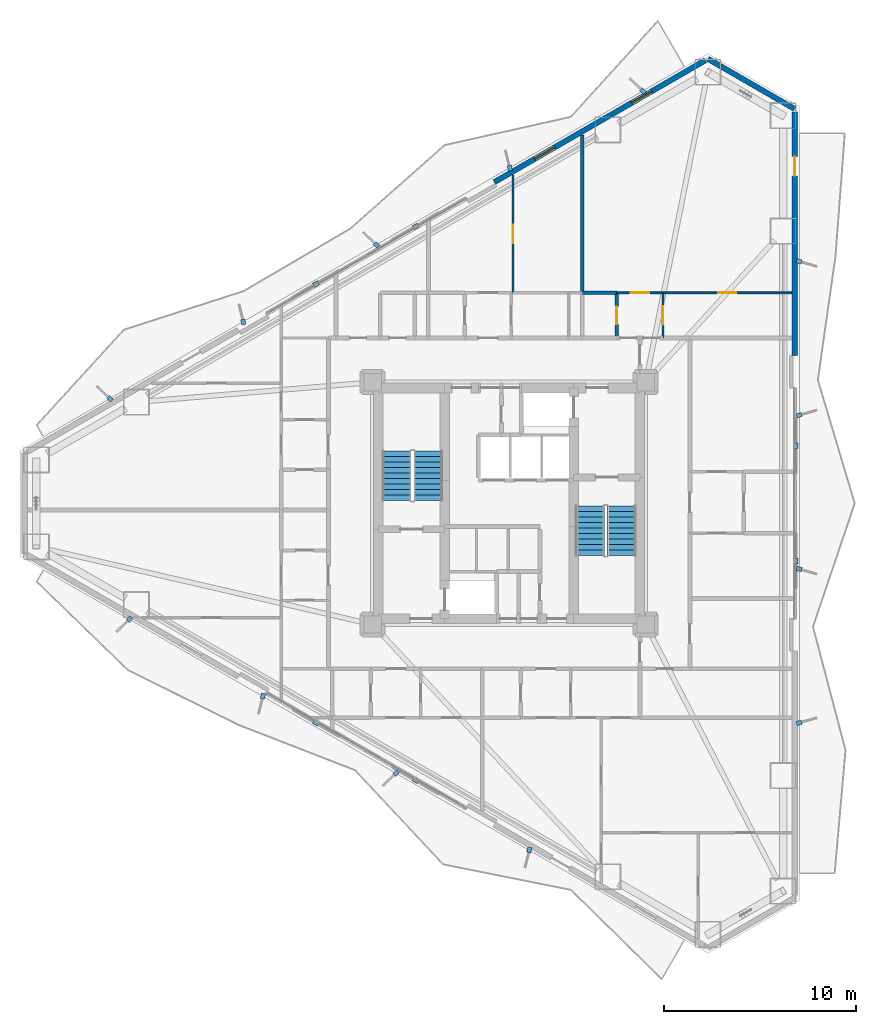
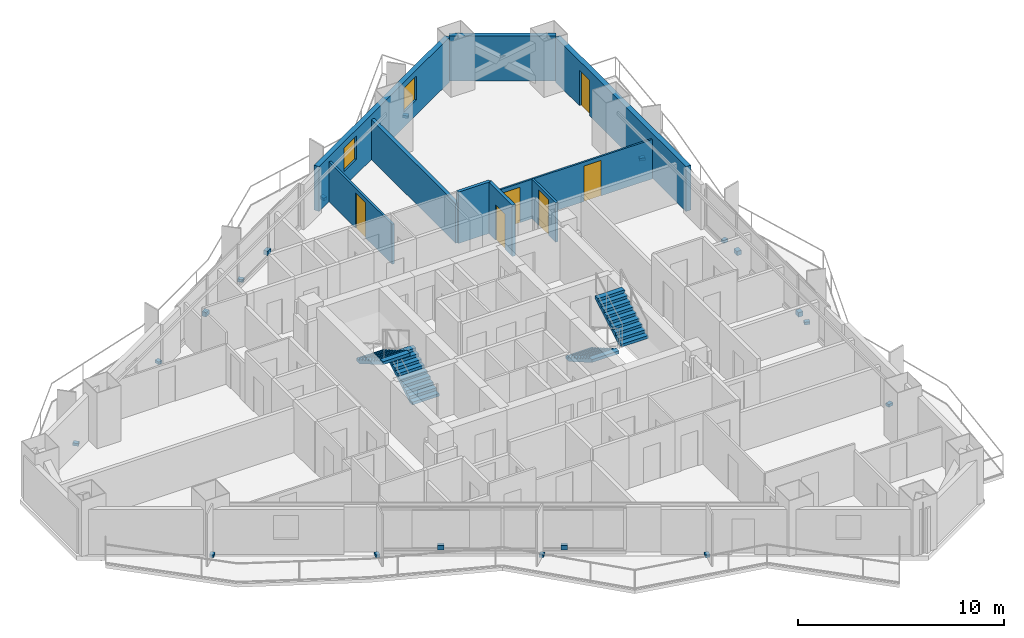
# One storey, part 16 of 18: 19 discrete accessories, 10 walls, 6 doors, 4 stair flights, 2 windows, 8 openings, 2 elements without a shape of their own.
"""IFC4 building model written with IfcOpenShell, lengths in metres."""

from ifc_helpers import new_model, si_unit, direction, frame, frame_2d, origin, origin_2d, place, context, subcontext, project, spatial, polyline, rectangle, outline, extrude, material, layer, layer_set, type_object, element, fill, aggregate, save


model = new_model("IFC4")

# Units and contexts
model_context = context("Model", 3, precision=1e-05, world=origin(), true_north=direction((0.0, 1.0)))
body_context = subcontext(model_context, "Body", "Model", "MODEL_VIEW")
ifc_project = project(units=[si_unit("LENGTHUNIT", "METRE"), si_unit("AREAUNIT", "SQUARE_METRE"), si_unit("VOLUMEUNIT", "CUBIC_METRE"), si_unit("PLANEANGLEUNIT", "RADIAN"), si_unit("MASSUNIT", "GRAM", prefix="KILO")], contexts=[model_context])

# Site, building, storey
site_placement = place(None, origin())
site = spatial("IfcSite", under=ifc_project, at=site_placement, CompositionType="ELEMENT")
building_placement = place(site_placement, origin())
building = spatial("IfcBuilding", under=site, at=building_placement, Name="Mersakhor Tower and Convention Hall", CompositionType="ELEMENT")
storey_placement = place(building_placement, frame((0.0, 0.0, 52.199951171875)))
storey = spatial("IfcBuildingStorey", under=building, at=storey_placement, Name="L14", CompositionType="ELEMENT", Elevation=52.199951171875)

# Wall
ifc_material_1 = material(Name="Precast concrete C45/55", Category="concrete")
ifc_layer_1 = layer(ifc_material_1, 0.27490234375)
ifc_layer_set_1 = layer_set([ifc_layer_1], Name="Precast concrete C45/55")
wall_type_1 = type_object("IfcWallType", Name="WL-EXT-275", PredefinedType="SOLIDWALL", material=ifc_layer_set_1)
wall_1_placement = place(storey_placement, frame((39.3369140625, 49.865234375, 0.0), z_axis=(0.0, 0.0, 1.0), x_axis=(0.866043601342, -0.499968479581, 0.0)))
element("IfcWall", 1, at=wall_1_placement, inside=storey, type_object=wall_type_1, Name="L14 Chamfer Braced Spandrel Wall C1", PredefinedType="SOLIDWALL", context=body_context, shape_type="SweptSolid", body=[
    extrude(rectangle(XDim=5.211181640625, YDim=0.27490234375, at=frame_2d((2.60546875, 0.0))), origin(), (0.0, 0.0, 1.0), 2.66015625),
])

# Wall, openings, windows
wall_2_placement = place(storey_placement, frame((28.231689453125, 43.453857421875, 0.0), z_axis=(0.0, 0.0, 1.0), x_axis=(0.86603192154, 0.499988710747, 0.0)))
wall_2 = element("IfcWall", 2, at=wall_2_placement, inside=storey, type_object=wall_type_1, Name="L14 Exterior Facade Wall F1-B3", PredefinedType="SOLIDWALL", context=body_context, shape_type="SweptSolid", body=[
    extrude(rectangle(XDim=12.673095703125, YDim=0.27490234375, at=frame_2d((6.33642578125, 0.0))), origin(), (0.0, 0.0, 1.0), 2.66015625),
])
opening_1_placement = place(wall_2_placement, frame((2.4169921875, 0.0, 0.89990234375)))
opening_1 = element("IfcOpeningElement", 3, at=opening_1_placement, cuts=wall_2, Name="Opening W-01", PredefinedType="OPENING", context=body_context, shape_type="SweptSolid", body=[
    extrude(rectangle(XDim=1.199951171875, YDim=1.39990234375, at=frame_2d((0.60009765625, 0.699951171875))), frame((0.0, 0.1474609375, 0.0), z_axis=(0.0, -1.0, 0.0), x_axis=(1.0, 0.0, 0.0)), (0.0, 0.0, 1.0), 0.294921875),
])
opening_2_placement = place(wall_2_placement, frame((8.2509765625, 0.0, 0.89990234375)))
opening_2 = element("IfcOpeningElement", 4, at=opening_2_placement, cuts=wall_2, Name="Opening W-01", PredefinedType="OPENING", context=body_context, shape_type="SweptSolid", body=[
    extrude(rectangle(XDim=1.199951171875, YDim=1.39990234375, at=frame_2d((0.60009765625, 0.699951171875))), frame((0.0, 0.1474609375, 0.0), z_axis=(0.0, -1.0, 0.0), x_axis=(1.0, 0.0, 0.0)), (0.0, 0.0, 1.0), 0.294921875),
])
ifc_material_2 = material(Name="Dark solar low-E glazed aluminium window", Category="aluminium")
window_type = type_object("IfcWindowType", Name="WN-RES-120x150", PartitioningType="SINGLE_PANEL", PredefinedType="WINDOW", material=ifc_material_2)
window_1_placement = place(opening_1_placement, origin())
window_1 = element("IfcWindow", 5, at=window_1_placement, inside=storey, type_object=window_type, Name="L14 Bedroom Facade Window F1-B3-1", OverallHeight=1.39990234375, OverallWidth=1.199951171875, PartitioningType="SINGLE_PANEL", PredefinedType="WINDOW", context=body_context, shape_type="SweptSolid", body=[
    extrude(rectangle(XDim=1.199951171875, YDim=1.39990234375, at=frame_2d((0.60009765625, 0.699951171875))), frame((0.0, 0.030029296875, 0.0), z_axis=(0.0, -1.0, 0.0), x_axis=(1.0, 0.0, 0.0)), (0.0, 0.0, 1.0), 0.06005859375),
])
fill(opening_1, window_1)
window_2_placement = place(opening_2_placement, origin())
window_2 = element("IfcWindow", 6, at=window_2_placement, inside=storey, type_object=window_type, Name="L14 Bedroom Facade Window F1-B3-2", OverallHeight=1.39990234375, OverallWidth=1.199951171875, PartitioningType="SINGLE_PANEL", PredefinedType="WINDOW", context=body_context, shape_type="SweptSolid", body=[
    extrude(rectangle(XDim=1.199951171875, YDim=1.39990234375, at=frame_2d((0.60009765625, 0.699951171875))), frame((0.0, 0.030029296875, 0.0), z_axis=(0.0, -1.0, 0.0), x_axis=(1.0, 0.0, 0.0)), (0.0, 0.0, 1.0), 0.06005859375),
])
fill(opening_2, window_2)

# Wall, opening, door
wall_3_placement = place(storey_placement, frame((43.85009765625, 47.109619140625, 0.0), z_axis=(0.0, 0.0, 1.0), x_axis=(0.0, -1.0, 0.0)))
wall_3 = element("IfcWall", 7, at=wall_3_placement, inside=storey, type_object=wall_type_1, Name="L14 Exterior Facade Wall F2-B1", PredefinedType="SOLIDWALL", context=body_context, shape_type="SweptSolid", body=[
    extrude(rectangle(XDim=12.673095703125, YDim=0.27490234375, at=frame_2d((6.33642578125, 0.0))), origin(), (0.0, 0.0, 1.0), 2.66015625),
])
opening_3_placement = place(wall_3_placement, frame((2.324951171875, 0.0, 0.0)))
opening_3 = element("IfcOpeningElement", 8, at=opening_3_placement, cuts=wall_3, Name="Opening BD-01", PredefinedType="OPENING", context=body_context, shape_type="SweptSolid", body=[
    extrude(rectangle(XDim=1.0, YDim=2.10009765625, at=frame_2d((0.5, 1.050048828125))), frame((0.0, 0.1474609375, 0.0), z_axis=(0.0, -1.0, 0.0), x_axis=(1.0, 0.0, 0.0)), (0.0, 0.0, 1.0), 0.294921875),
])
ifc_material_3 = material(Name="Thermally broken dark aluminium and safety glass", Category="aluminium")
door_type_1 = type_object("IfcDoorType", Name="DR-BAL-100x210", OperationType="NOTDEFINED", PredefinedType="DOOR", material=ifc_material_3)
door_1_placement = place(opening_3_placement, origin())
door_1 = element("IfcDoor", 9, at=door_1_placement, inside=storey, type_object=door_type_1, Name="L14 Balcony Terrace Door F2-B1", OperationType="SINGLE_SWING_LEFT", OverallHeight=2.10009765625, OverallWidth=1.0, PredefinedType="DOOR", context=body_context, shape_type="SweptSolid", body=[
    extrude(rectangle(XDim=1.0, YDim=2.10009765625, at=frame_2d((0.5, 1.050048828125))), frame((0.0, 0.02490234375, 0.0), z_axis=(0.0, -1.0, 0.0), x_axis=(1.0, 0.0, 0.0)), (0.0, 0.0, 1.0), 0.050048828125),
])
fill(opening_3, door_1)

ifc_material_4 = material(Name="Moisture-resistant acoustic drywall studwork", Category="other")
ifc_layer_2 = layer(ifc_material_4, 0.175048828125)
ifc_layer_set_2 = layer_set([ifc_layer_2], Name="Moisture-resistant acoustic drywall studwork")
wall_type_2 = type_object("IfcWallType", Name="WL-PLM-175", PredefinedType="PLUMBINGWALL", material=ifc_layer_set_2)
wall_4_placement = place(storey_placement, frame((34.60009765625, 35.35009765625, 0.0), z_axis=(0.0, 0.0, 1.0), x_axis=(0.0, 1.0, 0.0)))
wall_4 = element("IfcWall", 10, at=wall_4_placement, inside=storey, type_object=wall_type_2, Name="L14 Interior Partition Wall P-076", PredefinedType="PLUMBINGWALL", context=body_context, shape_type="SweptSolid", body=[
    extrude(rectangle(XDim=2.349853515625, YDim=0.175048828125, at=frame_2d((1.1748046875, 0.0))), origin(), (0.0, 0.0, 1.0), 3.0400390625),
])
opening_4_placement = place(wall_4_placement, frame((0.72509765625, 0.0, 0.0)))
opening_4 = element("IfcOpeningElement", 11, at=opening_4_placement, cuts=wall_4, Name="Opening WD-01", PredefinedType="OPENING", context=body_context, shape_type="SweptSolid", body=[
    extrude(rectangle(XDim=0.89990234375, YDim=2.10009765625, at=frame_2d((0.449951171875, 1.050048828125))), frame((0.0, 0.097412109375, 0.0), z_axis=(0.0, -1.0, 0.0), x_axis=(1.0, 0.0, 0.0)), (0.0, 0.0, 1.0), 0.195068359375),
])
ifc_material_5 = material(Name="Solid-core hardwood leaf in painted steel frame", Category="steel")
door_type_2 = type_object("IfcDoorType", Name="DR-INT-WET-090x210", OperationType="NOTDEFINED", PredefinedType="DOOR", material=ifc_material_5)
door_2_placement = place(opening_4_placement, origin())
door_2 = element("IfcDoor", 12, at=door_2_placement, inside=storey, type_object=door_type_2, Name="L14 L14 Flat N3 Apartment Hall to L14 Flat N3 Bathroom Door", OperationType="SINGLE_SWING_LEFT", OverallHeight=2.10009765625, OverallWidth=0.89990234375, PredefinedType="DOOR", context=body_context, shape_type="SweptSolid", body=[
    extrude(rectangle(XDim=0.89990234375, YDim=2.10009765625, at=frame_2d((0.449951171875, 1.050048828125))), frame((0.0, 0.02490234375, 0.0), z_axis=(0.0, -1.0, 0.0), x_axis=(1.0, 0.0, 0.0)), (0.0, 0.0, 1.0), 0.050048828125),
])
fill(opening_4, door_2)

# Wall
wall_5_placement = place(storey_placement, frame((32.800048828125, 37.699951171875, 0.0), z_axis=(0.0, 0.0, 1.0), x_axis=(1.0, 0.0, 0.0)))
element("IfcWall", 13, at=wall_5_placement, inside=storey, type_object=wall_type_2, Name="L14 Interior Partition Wall P-099", PredefinedType="PLUMBINGWALL", context=body_context, shape_type="SweptSolid", body=[
    extrude(rectangle(XDim=1.800048828125, YDim=0.175048828125, at=frame_2d((0.89990234375, 0.0))), origin(), (0.0, 0.0, 1.0), 3.0400390625),
])

# Wall, opening, door
ifc_material_6 = material(Name="Lightweight gypsum partition", Category="other")
ifc_layer_3 = layer(ifc_material_6, 0.10009765625)
ifc_layer_set_3 = layer_set([ifc_layer_3], Name="Lightweight gypsum partition")
wall_type_3 = type_object("IfcWallType", Name="WL-PRT-100", PredefinedType="PARTITIONING", material=ifc_layer_set_3)
wall_6_placement = place(storey_placement, frame((34.60009765625, 37.699951171875, 0.0), z_axis=(0.0, 0.0, 1.0), x_axis=(1.0, 0.0, 0.0)))
wall_6 = element("IfcWall", 14, at=wall_6_placement, inside=storey, type_object=wall_type_3, Name="L14 Interior Partition Wall P-074", PredefinedType="PARTITIONING", context=body_context, shape_type="SweptSolid", body=[
    extrude(rectangle(XDim=2.39990234375, YDim=0.10009765625, at=frame_2d((1.199951171875, 0.0))), origin(), (0.0, 0.0, 1.0), 2.337646484375),
])
opening_5_placement = place(wall_6_placement, frame((0.72509765625, 0.0, 0.0)))
opening_5 = element("IfcOpeningElement", 15, at=opening_5_placement, cuts=wall_6, Name="Opening RD-01", PredefinedType="OPENING", context=body_context, shape_type="SweptSolid", body=[
    extrude(rectangle(XDim=0.949951171875, YDim=2.10009765625, at=frame_2d((0.47509765625, 1.050048828125))), frame((0.0, 0.06005859375, 0.0), z_axis=(0.0, -1.0, 0.0), x_axis=(1.0, 0.0, 0.0)), (0.0, 0.0, 1.0), 0.1201171875),
])
ifc_material_7 = material(Name="Solid-core hardwood leaf in painted steel frame", Category="steel")
door_type_3 = type_object("IfcDoorType", Name="DR-INT-RM-095x210", OperationType="NOTDEFINED", PredefinedType="DOOR", material=ifc_material_7)
door_3_placement = place(opening_5_placement, origin())
door_3 = element("IfcDoor", 16, at=door_3_placement, inside=storey, type_object=door_type_3, Name="L14 L14 Flat N3 Apartment Hall to L14 Flat N3 Studio Living and Sleeping Room Door", OperationType="SINGLE_SWING_LEFT", OverallHeight=2.10009765625, OverallWidth=0.949951171875, PredefinedType="DOOR", context=body_context, shape_type="SweptSolid", body=[
    extrude(rectangle(XDim=0.949951171875, YDim=2.10009765625, at=frame_2d((0.47509765625, 1.050048828125))), frame((0.0, 0.02490234375, 0.0), z_axis=(0.0, -1.0, 0.0), x_axis=(1.0, 0.0, 0.0)), (0.0, 0.0, 1.0), 0.050048828125),
])
fill(opening_5, door_3)

wall_7_placement = place(storey_placement, frame((37.0, 37.699951171875, 0.0), z_axis=(0.0, 0.0, 1.0), x_axis=(1.0, 0.0, 0.0)))
wall_7 = element("IfcWall", 17, at=wall_7_placement, inside=storey, type_object=wall_type_3, Name="L14 Interior Partition Wall P-102", PredefinedType="PARTITIONING", context=body_context, shape_type="SweptSolid", body=[
    extrude(rectangle(XDim=6.6884765625, YDim=0.10009765625, at=frame_2d((3.34423828125, 0.0))), origin(), (0.0, 0.0, 1.0), 2.337646484375),
])
opening_6_placement = place(wall_7_placement, frame((2.869140625, 0.0, 0.0)))
opening_6 = element("IfcOpeningElement", 18, at=opening_6_placement, cuts=wall_7, Name="Opening RD-01", PredefinedType="OPENING", context=body_context, shape_type="SweptSolid", body=[
    extrude(rectangle(XDim=0.949951171875, YDim=2.10009765625, at=frame_2d((0.47509765625, 1.050048828125))), frame((0.0, 0.06005859375, 0.0), z_axis=(0.0, -1.0, 0.0), x_axis=(1.0, 0.0, 0.0)), (0.0, 0.0, 1.0), 0.1201171875),
])
door_4_placement = place(opening_6_placement, origin())
door_4 = element("IfcDoor", 19, at=door_4_placement, inside=storey, type_object=door_type_3, Name="L14 L14 Flat N3 Kitchen to L14 Flat N3 Studio Living and Sleeping Room Door", OperationType="SINGLE_SWING_LEFT", OverallHeight=2.10009765625, OverallWidth=0.949951171875, PredefinedType="DOOR", context=body_context, shape_type="SweptSolid", body=[
    extrude(rectangle(XDim=0.949951171875, YDim=2.10009765625, at=frame_2d((0.47509765625, 1.050048828125))), frame((0.0, 0.02490234375, 0.0), z_axis=(0.0, -1.0, 0.0), x_axis=(1.0, 0.0, 0.0)), (0.0, 0.0, 1.0), 0.050048828125),
])
fill(opening_6, door_4)

ifc_material_8 = material(Name="Gypsum board acoustic partition", Category="other")
ifc_layer_4 = layer(ifc_material_8, 0.125)
ifc_layer_set_4 = layer_set([ifc_layer_4], Name="Gypsum board acoustic partition")
wall_type_4 = type_object("IfcWallType", Name="WL-PRT-125", PredefinedType="PARTITIONING", material=ifc_layer_set_4)
wall_8_placement = place(storey_placement, frame((37.0, 37.699951171875, 0.0), z_axis=(0.0, 0.0, 1.0), x_axis=(0.0, -1.0, 0.0)))
wall_8 = element("IfcWall", 20, at=wall_8_placement, inside=storey, type_object=wall_type_4, Name="L14 Interior Partition Wall P-075", PredefinedType="PARTITIONING", context=body_context, shape_type="SweptSolid", body=[
    extrude(rectangle(XDim=2.349853515625, YDim=0.125, at=frame_2d((1.1748046875, 0.0))), origin(), (0.0, 0.0, 1.0), 2.337646484375),
])
opening_7_placement = place(wall_8_placement, frame((0.699951171875, 0.0, 0.0)))
opening_7 = element("IfcOpeningElement", 21, at=opening_7_placement, cuts=wall_8, Name="Opening RD-01", PredefinedType="OPENING", context=body_context, shape_type="SweptSolid", body=[
    extrude(rectangle(XDim=0.949951171875, YDim=2.10009765625, at=frame_2d((0.47509765625, 1.050048828125))), frame((0.0, 0.072509765625, 0.0), z_axis=(0.0, -1.0, 0.0), x_axis=(1.0, 0.0, 0.0)), (0.0, 0.0, 1.0), 0.14501953125),
])
door_5_placement = place(opening_7_placement, origin())
door_5 = element("IfcDoor", 22, at=door_5_placement, inside=storey, type_object=door_type_3, Name="L14 L14 Flat N3 Apartment Hall to L14 Flat N3 Kitchen Door", OperationType="SINGLE_SWING_RIGHT", OverallHeight=2.10009765625, OverallWidth=0.949951171875, PredefinedType="DOOR", context=body_context, shape_type="SweptSolid", body=[
    extrude(rectangle(XDim=0.949951171875, YDim=2.10009765625, at=frame_2d((0.47509765625, 1.050048828125))), frame((0.0, 0.02490234375, 0.0), z_axis=(0.0, -1.0, 0.0), x_axis=(1.0, 0.0, 0.0)), (0.0, 0.0, 1.0), 0.050048828125),
])
fill(opening_7, door_5)

wall_9_placement = place(storey_placement, frame((29.199951171875, 43.826416015625, 0.0), z_axis=(0.0, 0.0, 1.0), x_axis=(0.0, -1.0, 0.0)))
wall_9 = element("IfcWall", 23, at=wall_9_placement, inside=storey, type_object=wall_type_4, Name="L14 Interior Partition Wall P-129", PredefinedType="PARTITIONING", context=body_context, shape_type="SweptSolid", body=[
    extrude(rectangle(XDim=6.12646484375, YDim=0.125, at=frame_2d((3.063232421875, 0.0))), origin(), (0.0, 0.0, 1.0), 2.364990234375),
])
opening_8_placement = place(wall_9_placement, frame((2.588134765625, 0.0, 0.0)))
opening_8 = element("IfcOpeningElement", 24, at=opening_8_placement, cuts=wall_9, Name="Opening RD-01", PredefinedType="OPENING", context=body_context, shape_type="SweptSolid", body=[
    extrude(rectangle(XDim=0.949951171875, YDim=2.10009765625, at=frame_2d((0.47509765625, 1.050048828125))), frame((0.0, 0.072509765625, 0.0), z_axis=(0.0, -1.0, 0.0), x_axis=(1.0, 0.0, 0.0)), (0.0, 0.0, 1.0), 0.14501953125),
])
door_6_placement = place(opening_8_placement, origin())
door_6 = element("IfcDoor", 25, at=door_6_placement, inside=storey, type_object=door_type_3, Name="L14 L14 Flat N2 Living and Dining Room to L14 Flat N2 Bedroom 1 Door", OperationType="SINGLE_SWING_RIGHT", OverallHeight=2.10009765625, OverallWidth=0.949951171875, PredefinedType="DOOR", context=body_context, shape_type="SweptSolid", body=[
    extrude(rectangle(XDim=0.949951171875, YDim=2.10009765625, at=frame_2d((0.47509765625, 1.050048828125))), frame((0.0, 0.02490234375, 0.0), z_axis=(0.0, -1.0, 0.0), x_axis=(1.0, 0.0, 0.0)), (0.0, 0.0, 1.0), 0.050048828125),
])
fill(opening_8, door_6)

# Wall
ifc_material_9 = material(Name="Acoustic concrete blockwork and gypsum board", Category="masonry")
ifc_layer_5 = layer(ifc_material_9, 0.199951171875)
ifc_layer_set_5 = layer_set([ifc_layer_5], Name="Acoustic concrete blockwork and gypsum board")
wall_type_5 = type_object("IfcWallType", Name="WL-PRT-200", PredefinedType="PARTITIONING", material=ifc_layer_set_5)
wall_10_placement = place(storey_placement, frame((32.800048828125, 45.90478515625, 0.0), z_axis=(0.0, 0.0, 1.0), x_axis=(0.0, -1.0, 0.0)))
element("IfcWall", 26, at=wall_10_placement, inside=storey, type_object=wall_type_5, Name="L14 Interior Partition Wall P-131", PredefinedType="PARTITIONING", context=body_context, shape_type="SweptSolid", body=[
    extrude(rectangle(XDim=8.204833984375, YDim=0.199951171875, at=frame_2d((4.1025390625, 0.0))), origin(), (0.0, 0.0, 1.0), 2.364990234375),
])

# Stair, stair flights
ifc_material_10 = material(Name="Concrete C45/55", Category="concrete")
stair_type = type_object("IfcStairType", Name="ST-TWR-20R", PredefinedType="HALF_TURN_STAIR", material=ifc_material_10)
stair_1_placement = place(storey_placement, origin())
stair_1 = element("IfcStair", 27, at=stair_1_placement, inside=storey, type_object=stair_type, Name="L14 Tower Protected Exit Stair ST-1", PredefinedType="HALF_TURN_STAIR")
ifc_material_11 = material(Name="Concrete C45/55", Category="concrete")
stair_flight_type = type_object("IfcStairFlightType", Name="SFL-TWR-20R", PredefinedType="STRAIGHT", material=ifc_material_11)
stair_flight_1_placement = place(storey_placement, frame((24.800048828125, 26.89990234375, 0.0), z_axis=(0.0, 0.0, 1.0), x_axis=(0.0, 1.0, 0.0)))
stair_flight_1 = element("IfcStairFlight", 28, at=stair_flight_1_placement, type_object=stair_flight_type, Name="ST-1 flight 1", NumberOfRisers=10, NumberOfTreads=9, PredefinedType="STRAIGHT", RiserHeight=0.165, TreadLength=0.285, context=body_context, shape_type="SweptSolid", body=[
    extrude(outline(polyline([(0.0, 0.0), (0.0, 0.1650390625), (0.284912109375, 0.1650390625), (0.284912109375, 0.330078125), (0.570068359375, 0.330078125), (0.570068359375, 0.4951171875), (0.85498046875, 0.4951171875), (0.85498046875, 0.659912109375), (1.139892578125, 0.659912109375), (1.139892578125, 0.824951171875), (1.425048828125, 0.824951171875), (1.425048828125, 0.989990234375), (1.7099609375, 0.989990234375), (1.7099609375, 1.155029296875), (1.9951171875, 1.155029296875), (1.9951171875, 1.320068359375), (2.280029296875, 1.320068359375), (2.280029296875, 1.485107421875), (2.56494140625, 1.485107421875), (2.56494140625, 1.64990234375), (2.56494140625, 1.311767578125), (0.299072265625, 0.0), (0.0, 0.0)])), frame((0.0, 0.75, 0.0), z_axis=(0.0, -1.0, 0.0), x_axis=(1.0, 0.0, 0.0)), (0.0, 0.0, 1.0), 1.5),
])
stair_flight_2_placement = place(storey_placement, frame((23.14990234375, 29.465087890625, 1.650146484375), z_axis=(0.0, 0.0, 1.0), x_axis=(0.0, -1.0, 0.0)))
stair_flight_2 = element("IfcStairFlight", 29, at=stair_flight_2_placement, type_object=stair_flight_type, Name="ST-1 flight 2", NumberOfRisers=10, NumberOfTreads=9, PredefinedType="STRAIGHT", RiserHeight=0.165, TreadLength=0.285, context=body_context, shape_type="SweptSolid", body=[
    extrude(outline(polyline([(0.0, 0.0), (0.0, 0.1650390625), (0.284912109375, 0.1650390625), (0.284912109375, 0.330078125), (0.570068359375, 0.330078125), (0.570068359375, 0.4951171875), (0.85498046875, 0.4951171875), (0.85498046875, 0.659912109375), (1.139892578125, 0.659912109375), (1.139892578125, 0.824951171875), (1.425048828125, 0.824951171875), (1.425048828125, 0.989990234375), (1.7099609375, 0.989990234375), (1.7099609375, 1.155029296875), (1.9951171875, 1.155029296875), (1.9951171875, 1.320068359375), (2.280029296875, 1.320068359375), (2.280029296875, 1.485107421875), (2.56494140625, 1.485107421875), (2.56494140625, 1.64990234375), (2.56494140625, 1.311767578125), (0.299072265625, 0.0), (0.0, 0.0)])), frame((0.0, 0.75, 0.0), z_axis=(0.0, -1.0, 0.0), x_axis=(1.0, 0.0, 0.0)), (0.0, 0.0, 1.0), 1.5),
])
aggregate(stair_1, [stair_flight_1, stair_flight_2])

stair_2_placement = place(storey_placement, origin())
stair_2 = element("IfcStair", 30, at=stair_2_placement, inside=storey, type_object=stair_type, Name="L14 Tower Protected Exit Stair ST-2", PredefinedType="HALF_TURN_STAIR")
stair_flight_3_placement = place(storey_placement, frame((33.199951171875, 26.60009765625, 0.0), z_axis=(0.0, 0.0, 1.0), x_axis=(0.0, -1.0, 0.0)))
stair_flight_3 = element("IfcStairFlight", 31, at=stair_flight_3_placement, type_object=stair_flight_type, Name="ST-2 flight 1", NumberOfRisers=10, NumberOfTreads=9, PredefinedType="STRAIGHT", RiserHeight=0.165, TreadLength=0.285, context=body_context, shape_type="SweptSolid", body=[
    extrude(outline(polyline([(0.0, 0.0), (0.0, 0.1650390625), (0.284912109375, 0.1650390625), (0.284912109375, 0.330078125), (0.570068359375, 0.330078125), (0.570068359375, 0.4951171875), (0.85498046875, 0.4951171875), (0.85498046875, 0.659912109375), (1.139892578125, 0.659912109375), (1.139892578125, 0.824951171875), (1.425048828125, 0.824951171875), (1.425048828125, 0.989990234375), (1.7099609375, 0.989990234375), (1.7099609375, 1.155029296875), (1.9951171875, 1.155029296875), (1.9951171875, 1.320068359375), (2.280029296875, 1.320068359375), (2.280029296875, 1.485107421875), (2.56494140625, 1.485107421875), (2.56494140625, 1.64990234375), (2.56494140625, 1.311767578125), (0.299072265625, 0.0), (0.0, 0.0)])), frame((0.0, 0.75, 0.0), z_axis=(0.0, -1.0, 0.0), x_axis=(1.0, 0.0, 0.0)), (0.0, 0.0, 1.0), 1.5),
])
stair_flight_4_placement = place(storey_placement, frame((34.85009765625, 24.034912109375, 1.650146484375), z_axis=(0.0, 0.0, 1.0), x_axis=(0.0, 1.0, 0.0)))
stair_flight_4 = element("IfcStairFlight", 32, at=stair_flight_4_placement, type_object=stair_flight_type, Name="ST-2 flight 2", NumberOfRisers=10, NumberOfTreads=9, PredefinedType="STRAIGHT", RiserHeight=0.165, TreadLength=0.285, context=body_context, shape_type="SweptSolid", body=[
    extrude(outline(polyline([(0.0, 0.0), (0.0, 0.1650390625), (0.284912109375, 0.1650390625), (0.284912109375, 0.330078125), (0.570068359375, 0.330078125), (0.570068359375, 0.4951171875), (0.85498046875, 0.4951171875), (0.85498046875, 0.659912109375), (1.139892578125, 0.659912109375), (1.139892578125, 0.824951171875), (1.425048828125, 0.824951171875), (1.425048828125, 0.989990234375), (1.7099609375, 0.989990234375), (1.7099609375, 1.155029296875), (1.9951171875, 1.155029296875), (1.9951171875, 1.320068359375), (2.280029296875, 1.320068359375), (2.280029296875, 1.485107421875), (2.56494140625, 1.485107421875), (2.56494140625, 1.64990234375), (2.56494140625, 1.311767578125), (0.299072265625, 0.0), (0.0, 0.0)])), frame((0.0, 0.75, 0.0), z_axis=(0.0, -1.0, 0.0), x_axis=(1.0, 0.0, 0.0)), (0.0, 0.0, 1.0), 1.5),
])
aggregate(stair_2, [stair_flight_3, stair_flight_4])

# Discrete accessories
ifc_material_12 = material(Name="Galvanised steel bracket", Category="steel")
ifc_layer_6 = layer(ifc_material_12, 0.02001953125)
ifc_layer_set_6 = layer_set([ifc_layer_6], Name="Galvanised steel bracket")
discrete_accessory_type = type_object("IfcDiscreteAccessoryType", Name="ACC-BRK-STL", PredefinedType="BRACKET", material=ifc_layer_set_6)
for number, where, z_axis, x_axis, name in (
    (33, (18.957763671875, 38.156982421875, 0.2900390625), (0.0, 0.0, 1.0), (0.866025403784, 0.5, 0.0), "L14 Solar Screen Outrigger Bracket BRK-1-1"),
    (34, (24.142333984375, 41.150390625, 0.2900390625), (0.0, 0.0, 1.0), (0.866025403784, 0.5, 0.0), "L14 Solar Screen Outrigger Bracket BRK-1-2"),
):
    element("IfcDiscreteAccessory", number, at=place(storey_placement, frame(where, z_axis=z_axis, x_axis=x_axis)), inside=storey, type_object=discrete_accessory_type, Name=name, PredefinedType="BRACKET", context=body_context, shape_type="SweptSolid", body=[
        extrude(rectangle(XDim=0.300048828125, YDim=0.239990234375, at=origin_2d()), origin(), (0.0, 0.0, 1.0), 0.260009765625),
    ])
for number, where, z_axis, x_axis, name in (
    (35, (8.24951171875, 32.1826171875, -0.02001953125), (0.0, 0.0, 1.0), (-0.719339800339, 0.694658370459, 0.0), "L14 Facade Fin Base Cleat Bracket FBRK-1-1"),
    (36, (15.177734375, 36.1826171875, -0.02001953125), (0.0, 0.0, 1.0), (-0.2419218956, 0.970295726276, 0.0), "L14 Facade Fin Base Cleat Bracket FBRK-1-2"),
    (37, (22.10595703125, 40.1826171875, -0.02001953125), (0.0, 0.0, 1.0), (-0.719339800339, 0.694658370459, 0.0), "L14 Facade Fin Base Cleat Bracket FBRK-1-3"),
    (38, (29.0341796875, 44.1826171875, -0.02001953125), (0.0, 0.0, 1.0), (-0.2419218956, 0.970295726276, 0.0), "L14 Facade Fin Base Cleat Bracket FBRK-1-4"),
    (39, (35.96240234375, 48.1826171875, -0.02001953125), (0.0, 0.0, 1.0), (-0.719339800339, 0.694658370459, 0.0), "L14 Facade Fin Base Cleat Bracket FBRK-1-5"),
):
    element("IfcDiscreteAccessory", number, at=place(storey_placement, frame(where, z_axis=z_axis, x_axis=x_axis)), inside=storey, type_object=discrete_accessory_type, Name=name, PredefinedType="BRACKET", context=body_context, shape_type="SweptSolid", body=[
        extrude(rectangle(XDim=0.280029296875, YDim=0.219970703125, at=origin_2d()), origin(), (0.0, 0.0, 1.0), 0.159912109375),
    ])
for number, where, z_axis, x_axis, name in (
    (40, (43.89990234375, 29.743408203125, 0.2900390625), (0.0, 0.0, 1.0), (0.0, -1.0, 0.0), "L14 Solar Screen Outrigger Bracket BRK-2-1"),
    (41, (43.89990234375, 23.756591796875, 0.2900390625), (0.0, 0.0, 1.0), (0.0, -1.0, 0.0), "L14 Solar Screen Outrigger Bracket BRK-2-2"),
):
    element("IfcDiscreteAccessory", number, at=place(storey_placement, frame(where, z_axis=z_axis, x_axis=x_axis)), inside=storey, type_object=discrete_accessory_type, Name=name, PredefinedType="BRACKET", context=body_context, shape_type="SweptSolid", body=[
        extrude(rectangle(XDim=0.300048828125, YDim=0.239990234375, at=origin_2d()), origin(), (0.0, 0.0, 1.0), 0.260009765625),
    ])
for number, where, z_axis, x_axis, name in (
    (42, (44.080078125, 39.33740234375, -0.02001953125), (0.0, 0.0, 1.0), (0.961261695938, -0.275637355817, 0.0), "L14 Facade Fin Base Cleat Bracket FBRK-2-1"),
    (43, (44.080078125, 31.33740234375, -0.02001953125), (0.0, 0.0, 1.0), (0.961261695938, 0.275637355817, 0.0), "L14 Facade Fin Base Cleat Bracket FBRK-2-2"),
    (44, (44.080078125, 23.33740234375, -0.02001953125), (0.0, 0.0, 1.0), (0.961261695938, -0.275637355817, 0.0), "L14 Facade Fin Base Cleat Bracket FBRK-2-3"),
    (45, (44.080078125, 15.33740234375, -0.02001953125), (0.0, 0.0, 1.0), (0.961261695938, 0.275637355817, 0.0), "L14 Facade Fin Base Cleat Bracket FBRK-2-4"),
):
    element("IfcDiscreteAccessory", number, at=place(storey_placement, frame(where, z_axis=z_axis, x_axis=x_axis)), inside=storey, type_object=discrete_accessory_type, Name=name, PredefinedType="BRACKET", context=body_context, shape_type="SweptSolid", body=[
        extrude(rectangle(XDim=0.280029296875, YDim=0.219970703125, at=origin_2d()), origin(), (0.0, 0.0, 1.0), 0.159912109375),
    ])
for number, where, z_axis, x_axis, name in (
    (46, (24.14208984375, 12.349609375, 0.2900390625), (0.0, 0.0, 1.0), (-0.866025403784, 0.5, 0.0), "L14 Solar Screen Outrigger Bracket BRK-3-1"),
    (47, (18.957763671875, 15.3427734375, 0.2900390625), (0.0, 0.0, 1.0), (-0.866025403784, 0.5, 0.0), "L14 Solar Screen Outrigger Bracket BRK-3-2"),
):
    element("IfcDiscreteAccessory", number, at=place(storey_placement, frame(where, z_axis=z_axis, x_axis=x_axis)), inside=storey, type_object=discrete_accessory_type, Name=name, PredefinedType="BRACKET", context=body_context, shape_type="SweptSolid", body=[
        extrude(rectangle(XDim=0.300048828125, YDim=0.239990234375, at=origin_2d()), origin(), (0.0, 0.0, 1.0), 0.260009765625),
    ])
for number, where, z_axis, x_axis, name in (
    (48, (30.051513671875, 8.72998046875, -0.02001953125), (0.0, 0.0, 1.0), (-0.2419218956, -0.970295726276, 0.0), "L14 Facade Fin Base Cleat Bracket FBRK-3-1"),
    (49, (23.123291015625, 12.72998046875, -0.02001953125), (0.0, 0.0, 1.0), (-0.719339800339, -0.694658370459, 0.0), "L14 Facade Fin Base Cleat Bracket FBRK-3-2"),
    (50, (16.1953125, 16.72998046875, -0.02001953125), (0.0, 0.0, 1.0), (-0.2419218956, -0.970295726276, 0.0), "L14 Facade Fin Base Cleat Bracket FBRK-3-3"),
    (51, (9.266845703125, 20.72998046875, -0.02001953125), (0.0, 0.0, 1.0), (-0.719339800339, -0.694658370459, 0.0), "L14 Facade Fin Base Cleat Bracket FBRK-3-4"),
):
    element("IfcDiscreteAccessory", number, at=place(storey_placement, frame(where, z_axis=z_axis, x_axis=x_axis)), inside=storey, type_object=discrete_accessory_type, Name=name, PredefinedType="BRACKET", context=body_context, shape_type="SweptSolid", body=[
        extrude(rectangle(XDim=0.280029296875, YDim=0.219970703125, at=origin_2d()), origin(), (0.0, 0.0, 1.0), 0.159912109375),
    ])

save(model, "model.ifc")
